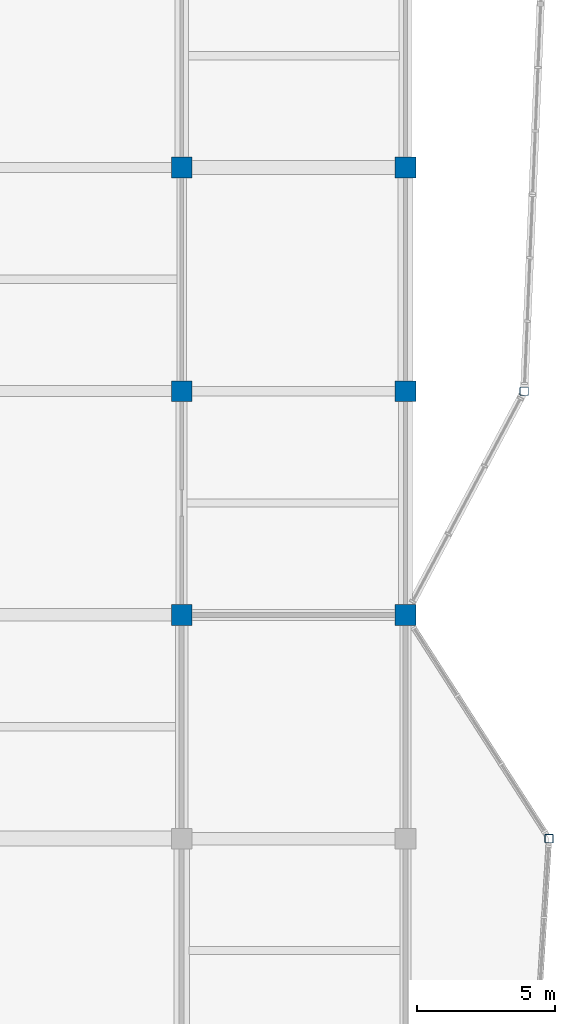
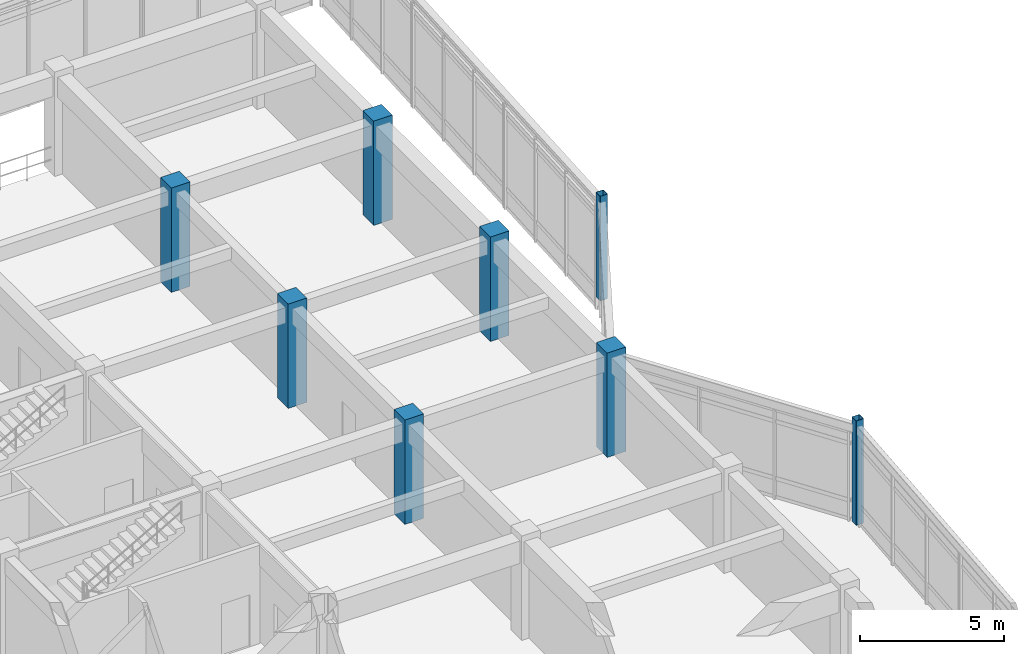
# One storey, part 9 of 70: 8 columns.
"""IFC4 building model written with IfcOpenShell, lengths in metres."""

from ifc_helpers import new_model, si_unit, direction, frame, origin, origin_2d, place, context, subcontext, project, spatial, rectangle, hollow_rectangle, extrude, material, material_profile, profile_set, type_object, element, save


model = new_model("IFC4")

# Units and contexts
model_context = context("Model", 3, precision=1e-05, world=origin(), true_north=direction((0.0, 1.0)))
body_context = subcontext(model_context, "Body", "Model", "MODEL_VIEW")
ifc_project = project(units=[si_unit("LENGTHUNIT", "METRE"), si_unit("AREAUNIT", "SQUARE_METRE"), si_unit("VOLUMEUNIT", "CUBIC_METRE"), si_unit("PLANEANGLEUNIT", "RADIAN"), si_unit("MASSUNIT", "GRAM", prefix="KILO")], contexts=[model_context])

# Site, building, storey
site_placement = place(None, origin())
site = spatial("IfcSite", under=ifc_project, at=site_placement, CompositionType="ELEMENT")
building_placement = place(site_placement, origin())
building = spatial("IfcBuilding", under=site, at=building_placement, Name="Vaudrelin Polytechnic", CompositionType="ELEMENT")
storey_placement = place(building_placement, frame((0.0, 0.0, 14.110107421875)))
storey = spatial("IfcBuildingStorey", under=building, at=storey_placement, Name="L03", CompositionType="ELEMENT", Elevation=14.110107421875)

# Columns
ifc_material_1 = material(Name="Steel CSA G40.21 350WT", Category="steel")
ifc_material_profile_1 = material_profile(ifc_material_1, hollow_rectangle(XDim=0.304931640625, YDim=0.304931640625, WallThickness=0.0126953125, InnerFilletRadius=0.0126953125, OuterFilletRadius=0.025390625, at=origin_2d()), Name="HSS305x305x12.7")
ifc_profile_set_1 = profile_set([ifc_material_profile_1], Name="Steel CSA G40.21 350WT")
column_type_1 = type_object("IfcColumnType", Name="COL-C-HSS305", PredefinedType="COLUMN", material=ifc_profile_set_1)
for number, where, z_axis, x_axis, name in (
    (1, (174.39990234375, 105.300048828125, 0.0), (0.0, 0.0, 1.0), (1.0, 0.0, 0.0), "Deconstructivist column L03 NE_E"),
    (2, (175.300048828125, 89.10009765625, 0.0), (0.0, 0.0, 1.0), (1.0, 0.0, 0.0), "Deconstructivist column L03 E_OR2_2"),
):
    element("IfcColumn", number, at=place(storey_placement, frame(where, z_axis=z_axis, x_axis=x_axis)), inside=storey, type_object=column_type_1, Name=name, PredefinedType="COLUMN", context=body_context, shape_type="SweptSolid", body=[
        extrude(hollow_rectangle(XDim=0.304931640625, YDim=0.304931640625, WallThickness=0.0126953125, InnerFilletRadius=0.0126953125, OuterFilletRadius=0.025390625, at=origin_2d()), origin(), (0.0, 0.0, 1.0), 4.419921875),
    ])
ifc_material_2 = material(Name="Concrete 50 MPa", Category="concrete")
ifc_material_profile_2 = material_profile(ifc_material_2, rectangle(XDim=0.75, YDim=0.75, at=origin_2d()), Name="RC750x750")
ifc_profile_set_2 = profile_set([ifc_material_profile_2], Name="Concrete 50 MPa")
column_type_2 = type_object("IfcColumnType", Name="COL-C-RC750", PredefinedType="COLUMN", material=ifc_profile_set_2)
for number, where, z_axis, x_axis, name in (
    (3, (162.0, 97.199951171875, 0.0), (0.0, 0.0, 1.0), (1.0, 0.0, 0.0), "Column L03 21-13"),
    (4, (162.0, 105.300048828125, 0.0), (0.0, 0.0, 1.0), (1.0, 0.0, 0.0), "Column L03 21-14"),
    (5, (162.0, 113.39990234375, 0.0), (0.0, 0.0, 1.0), (1.0, 0.0, 0.0), "Column L03 21-15"),
    (6, (170.10009765625, 97.199951171875, 0.0), (0.0, 0.0, 1.0), (1.0, 0.0, 0.0), "Column L03 22-13"),
    (7, (170.10009765625, 105.300048828125, 0.0), (0.0, 0.0, 1.0), (1.0, 0.0, 0.0), "Column L03 22-14"),
    (8, (170.10009765625, 113.39990234375, 0.0), (0.0, 0.0, 1.0), (1.0, 0.0, 0.0), "Column L03 22-15"),
):
    element("IfcColumn", number, at=place(storey_placement, frame(where, z_axis=z_axis, x_axis=x_axis)), inside=storey, type_object=column_type_2, Name=name, PredefinedType="COLUMN", context=body_context, shape_type="SweptSolid", body=[
        extrude(rectangle(XDim=0.75, YDim=0.75, at=origin_2d()), origin(), (0.0, 0.0, 1.0), 4.419921875),
    ])

save(model, "model.ifc")
